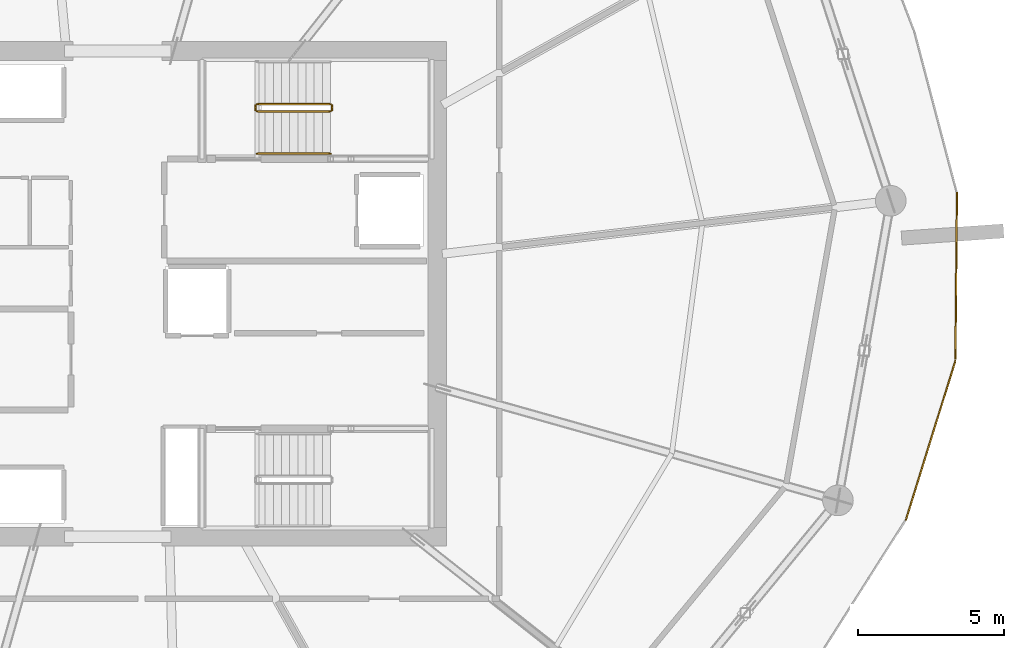
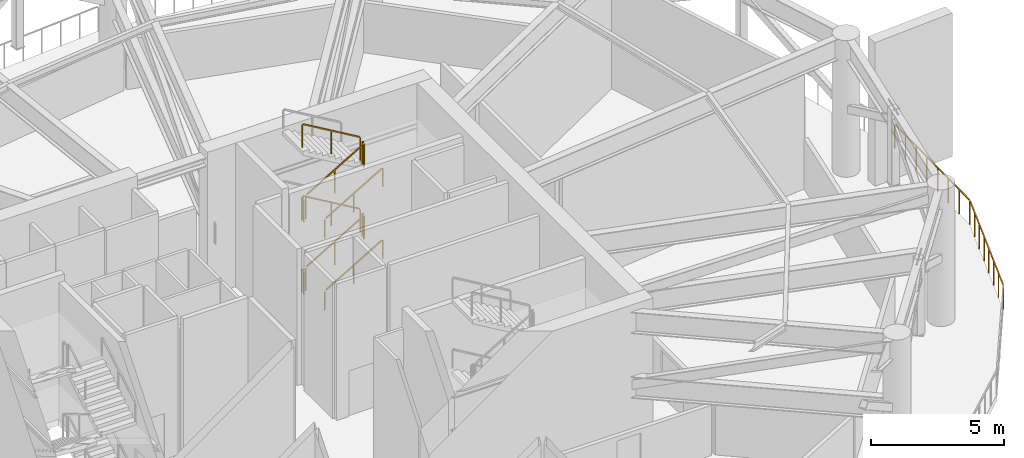
# One storey, part 19 of 20: 12 railings.
"""IFC4 building model written with IfcOpenShell, lengths in metres."""

from ifc_helpers import new_model, si_unit, direction, frame, origin, origin_2d, place, context, subcontext, project, spatial, rectangle, extrude, material, type_object, element, save


model = new_model("IFC4")

# Units and contexts
model_context = context("Model", 3, precision=1e-05, world=origin(), true_north=direction((0.0, 1.0)))
body_context = subcontext(model_context, "Body", "Model", "MODEL_VIEW")
ifc_project = project(units=[si_unit("LENGTHUNIT", "METRE"), si_unit("AREAUNIT", "SQUARE_METRE"), si_unit("VOLUMEUNIT", "CUBIC_METRE"), si_unit("PLANEANGLEUNIT", "RADIAN"), si_unit("MASSUNIT", "GRAM", prefix="KILO")], contexts=[model_context])

# Site, building, storey
site_placement = place(None, origin())
site = spatial("IfcSite", under=ifc_project, at=site_placement, CompositionType="ELEMENT")
building_placement = place(site_placement, origin())
building = spatial("IfcBuilding", under=site, at=building_placement, Name="Kazma Halo Residences", CompositionType="ELEMENT")
storey_placement = place(building_placement, frame((0.0, 0.0, 225.300048828125)))
storey = spatial("IfcBuildingStorey", under=building, at=storey_placement, Name="L57", CompositionType="ELEMENT", Elevation=225.300048828125)

# Railings
ifc_material_1 = material(Name="Brushed Stainless Steel and Laminated Glass", Category="steel")
railing_type_1 = type_object("IfcRailingType", Name="RLG-EXT-GUARD-1150", PredefinedType="GUARDRAIL", material=ifc_material_1)
railing_1_placement = place(storey_placement, frame((75.4375, 34.26171875, 0.0)))
element("IfcRailing", 1, at=railing_1_placement, inside=storey, type_object=railing_type_1, Name="L57 open wind-floor perimeter guard 30", PredefinedType="GUARDRAIL", context=body_context, shape_type="SweptSolid", body=[
    extrude(rectangle(XDim=0.050048828125, YDim=0.050048828125, at=origin_2d()), frame((0.0126953125, 0.04052734375, 1.125), z_axis=(0.296885266227, 0.954913157673, 0.0), x_axis=(-0.954913157673, 0.296885266227, 0.0)), (0.0, 0.0, 1.0), 5.617919921875),
    extrude(rectangle(XDim=0.0400390625, YDim=0.0400390625, at=origin_2d()), origin(), (0.0, 0.0, 1.0), 1.087890625),
    extrude(rectangle(XDim=0.0400390625, YDim=0.0400390625, at=origin_2d()), frame((0.241943359375, 0.778076171875, 0.0)), (0.0, 0.0, 1.0), 1.087890625),
    extrude(rectangle(XDim=0.0400390625, YDim=0.0400390625, at=origin_2d()), frame((0.483642578125, 1.555908203125, 0.0)), (0.0, 0.0, 1.0), 1.087890625),
    extrude(rectangle(XDim=0.0400390625, YDim=0.0400390625, at=origin_2d()), frame((0.7255859375, 2.333984375, 0.0)), (0.0, 0.0, 1.0), 1.087890625),
    extrude(rectangle(XDim=0.0400390625, YDim=0.0400390625, at=origin_2d()), frame((0.967529296875, 3.11181640625, 0.0)), (0.0, 0.0, 1.0), 1.087890625),
    extrude(rectangle(XDim=0.0400390625, YDim=0.0400390625, at=origin_2d()), frame((1.20947265625, 3.889892578125, 0.0)), (0.0, 0.0, 1.0), 1.087890625),
    extrude(rectangle(XDim=0.0400390625, YDim=0.0400390625, at=origin_2d()), frame((1.451171875, 4.667724609375, 0.0)), (0.0, 0.0, 1.0), 1.087890625),
    extrude(rectangle(XDim=0.0400390625, YDim=0.0400390625, at=origin_2d()), frame((1.693115234375, 5.44580078125, 0.0)), (0.0, 0.0, 1.0), 1.087890625),
])
railing_2_placement = place(storey_placement, frame((77.130615234375, 39.70751953125, 0.0)))
element("IfcRailing", 2, at=railing_2_placement, inside=storey, type_object=railing_type_1, Name="L57 open wind-floor perimeter guard 31", PredefinedType="GUARDRAIL", context=body_context, shape_type="SweptSolid", body=[
    extrude(rectangle(XDim=0.050048828125, YDim=0.050048828125, at=origin_2d()), frame((0.00048828125, 0.04248046875, 1.125), z_axis=(0.009346180269, 0.999956323503, 0.0), x_axis=(-0.999956323503, 0.009346180269, 0.0)), (0.0, 0.0, 1.0), 5.661865234375),
    extrude(rectangle(XDim=0.0400390625, YDim=0.0400390625, at=origin_2d()), origin(), (0.0, 0.0, 1.0), 1.087890625),
    extrude(rectangle(XDim=0.0400390625, YDim=0.0400390625, at=origin_2d()), frame((0.007568359375, 0.821044921875, 0.0)), (0.0, 0.0, 1.0), 1.087890625),
    extrude(rectangle(XDim=0.0400390625, YDim=0.0400390625, at=origin_2d()), frame((0.015380859375, 1.641845703125, 0.0)), (0.0, 0.0, 1.0), 1.087890625),
    extrude(rectangle(XDim=0.0400390625, YDim=0.0400390625, at=origin_2d()), frame((0.02294921875, 2.462890625, 0.0)), (0.0, 0.0, 1.0), 1.087890625),
    extrude(rectangle(XDim=0.0400390625, YDim=0.0400390625, at=origin_2d()), frame((0.03076171875, 3.28369140625, 0.0)), (0.0, 0.0, 1.0), 1.087890625),
    extrude(rectangle(XDim=0.0400390625, YDim=0.0400390625, at=origin_2d()), frame((0.038330078125, 4.104736328125, 0.0)), (0.0, 0.0, 1.0), 1.087890625),
    extrude(rectangle(XDim=0.0400390625, YDim=0.0400390625, at=origin_2d()), frame((0.046142578125, 4.925537109375, 0.0)), (0.0, 0.0, 1.0), 1.087890625),
    extrude(rectangle(XDim=0.0400390625, YDim=0.0400390625, at=origin_2d()), frame((0.0537109375, 5.74658203125, 0.0)), (0.0, 0.0, 1.0), 1.087890625),
])
ifc_material_2 = material(Name="Painted Steel S355", Category="steel")
railing_type_2 = type_object("IfcRailingType", Name="RLG-STAIR-GRD-1100", PredefinedType="GUARDRAIL", material=ifc_material_2)
railing_3_placement = place(storey_placement, frame((53.199951171875, 48.25, 0.1650390625)))
element("IfcRailing", 3, at=railing_3_placement, inside=storey, type_object=railing_type_2, Name="L57 ST-02 stair guard 1", PredefinedType="GUARDRAIL", context=body_context, shape_type="SweptSolid", body=[
    extrude(rectangle(XDim=0.050048828125, YDim=0.050048828125, at=origin_2d()), frame((0.03662109375, 0.0, 1.0966796875), z_axis=(0.861560626758, 0.0, 0.507654692109), x_axis=(0.0, 1.0, 0.0)), (0.0, 0.0, 1.0), 2.83984375),
    extrude(rectangle(XDim=0.0400390625, YDim=0.0400390625, at=origin_2d()), origin(), (0.0, 0.0, 1.0), 1.0380859375),
    extrude(rectangle(XDim=0.0400390625, YDim=0.0400390625, at=origin_2d()), frame((1.260009765625, 0.0, 0.742431640625)), (0.0, 0.0, 1.0), 1.0380859375),
    extrude(rectangle(XDim=0.0400390625, YDim=0.0400390625, at=origin_2d()), frame((2.52001953125, 0.0, 1.48486328125)), (0.0, 0.0, 1.0), 1.0380859375),
])
railing_4_placement = place(storey_placement, frame((55.77001953125, 48.300048828125, 1.64990234375)))
element("IfcRailing", 4, at=railing_4_placement, inside=storey, type_object=railing_type_2, Name="L57 ST-02 stair guard 2", PredefinedType="GUARDRAIL", context=body_context, shape_type="SweptSolid", body=[
    extrude(rectangle(XDim=0.050048828125, YDim=0.050048828125, at=origin_2d()), frame((0.0, 0.04248046875, 1.0751953125), z_axis=(0.0, 1.0, 0.0), x_axis=(-1.0, 0.0, 0.0)), (0.0, 0.0, 1.0), 0.06494140625),
    extrude(rectangle(XDim=0.0400390625, YDim=0.0400390625, at=origin_2d()), origin(), (0.0, 0.0, 1.0), 1.0380859375),
    extrude(rectangle(XDim=0.0400390625, YDim=0.0400390625, at=origin_2d()), frame((0.0, 0.14990234375, 0.0)), (0.0, 0.0, 1.0), 1.0380859375),
])
railing_5_placement = place(storey_placement, frame((55.719970703125, 48.5, 1.81494140625)))
element("IfcRailing", 5, at=railing_5_placement, inside=storey, type_object=railing_type_2, Name="L57 ST-02 stair guard 3", PredefinedType="GUARDRAIL", context=body_context, shape_type="SweptSolid", body=[
    extrude(rectangle(XDim=0.050048828125, YDim=0.050048828125, at=origin_2d()), frame((-0.03662109375, 0.0, 1.0966796875), z_axis=(-0.86152411907, 0.0, 0.507716645641), x_axis=(0.0, -1.0, 0.0)), (0.0, 0.0, 1.0), 2.840087890625),
    extrude(rectangle(XDim=0.0400390625, YDim=0.0400390625, at=origin_2d()), origin(), (0.0, 0.0, 1.0), 1.0380859375),
    extrude(rectangle(XDim=0.0400390625, YDim=0.0400390625, at=origin_2d()), frame((-1.260009765625, 0.0, 0.74267578125)), (0.0, 0.0, 1.0), 1.0380859375),
    extrude(rectangle(XDim=0.0400390625, YDim=0.0400390625, at=origin_2d()), frame((-2.52001953125, 0.0, 1.485107421875)), (0.0, 0.0, 1.0), 1.0380859375),
])
railing_6_placement = place(storey_placement, frame((53.14990234375, 48.300048828125, 3.300048828125)))
element("IfcRailing", 6, at=railing_6_placement, inside=storey, type_object=railing_type_2, Name="L57 ST-02 stair guard 4", PredefinedType="GUARDRAIL", context=body_context, shape_type="SweptSolid", body=[
    extrude(rectangle(XDim=0.050048828125, YDim=0.050048828125, at=origin_2d()), frame((0.0, 0.04248046875, 1.0751953125), z_axis=(0.0, 1.0, 0.0), x_axis=(-1.0, 0.0, 0.0)), (0.0, 0.0, 1.0), 0.06494140625),
    extrude(rectangle(XDim=0.0400390625, YDim=0.0400390625, at=origin_2d()), origin(), (0.0, 0.0, 1.0), 1.0380859375),
    extrude(rectangle(XDim=0.0400390625, YDim=0.0400390625, at=origin_2d()), frame((0.0, 0.14990234375, 0.0)), (0.0, 0.0, 1.0), 1.0380859375),
])
railing_7_placement = place(storey_placement, frame((53.199951171875, 48.25, 3.46484375)))
element("IfcRailing", 7, at=railing_7_placement, inside=storey, type_object=railing_type_2, Name="L57 ST-02 stair guard 5", PredefinedType="GUARDRAIL", context=body_context, shape_type="SweptSolid", body=[
    extrude(rectangle(XDim=0.050048828125, YDim=0.050048828125, at=origin_2d()), frame((0.03662109375, 0.0, 1.0966796875), z_axis=(0.86152411907, 0.0, 0.507716645641), x_axis=(0.0, 1.0, 0.0)), (0.0, 0.0, 1.0), 2.840087890625),
    extrude(rectangle(XDim=0.0400390625, YDim=0.0400390625, at=origin_2d()), origin(), (0.0, 0.0, 1.0), 1.0380859375),
    extrude(rectangle(XDim=0.0400390625, YDim=0.0400390625, at=origin_2d()), frame((1.260009765625, 0.0, 0.74267578125)), (0.0, 0.0, 1.0), 1.0380859375),
    extrude(rectangle(XDim=0.0400390625, YDim=0.0400390625, at=origin_2d()), frame((2.52001953125, 0.0, 1.485107421875)), (0.0, 0.0, 1.0), 1.0380859375),
])
railing_8_placement = place(storey_placement, frame((55.77001953125, 48.300048828125, 4.949951171875)))
element("IfcRailing", 8, at=railing_8_placement, inside=storey, type_object=railing_type_2, Name="L57 ST-02 stair guard 6", PredefinedType="GUARDRAIL", context=body_context, shape_type="SweptSolid", body=[
    extrude(rectangle(XDim=0.050048828125, YDim=0.050048828125, at=origin_2d()), frame((0.0, 0.04248046875, 1.0751953125), z_axis=(0.0, 1.0, 0.0), x_axis=(-1.0, 0.0, 0.0)), (0.0, 0.0, 1.0), 0.06494140625),
    extrude(rectangle(XDim=0.0400390625, YDim=0.0400390625, at=origin_2d()), origin(), (0.0, 0.0, 1.0), 1.0380859375),
    extrude(rectangle(XDim=0.0400390625, YDim=0.0400390625, at=origin_2d()), frame((0.0, 0.14990234375, 0.0)), (0.0, 0.0, 1.0), 1.0380859375),
])
railing_9_placement = place(storey_placement, frame((55.719970703125, 48.5, 5.114990234375)))
element("IfcRailing", 9, at=railing_9_placement, inside=storey, type_object=railing_type_2, Name="L57 ST-02 stair guard 7", PredefinedType="GUARDRAIL", context=body_context, shape_type="SweptSolid", body=[
    extrude(rectangle(XDim=0.050048828125, YDim=0.050048828125, at=origin_2d()), frame((-0.03662109375, 0.0, 1.0966796875), z_axis=(-0.861560626758, 0.0, 0.507654692109), x_axis=(0.0, -1.0, 0.0)), (0.0, 0.0, 1.0), 2.83984375),
    extrude(rectangle(XDim=0.0400390625, YDim=0.0400390625, at=origin_2d()), origin(), (0.0, 0.0, 1.0), 1.0380859375),
    extrude(rectangle(XDim=0.0400390625, YDim=0.0400390625, at=origin_2d()), frame((-1.260009765625, 0.0, 0.742431640625)), (0.0, 0.0, 1.0), 1.0380859375),
    extrude(rectangle(XDim=0.0400390625, YDim=0.0400390625, at=origin_2d()), frame((-2.52001953125, 0.0, 1.48486328125)), (0.0, 0.0, 1.0), 1.0380859375),
])
railing_10_placement = place(storey_placement, frame((53.14990234375, 48.300048828125, 0.0)))
element("IfcRailing", 10, at=railing_10_placement, inside=storey, type_object=railing_type_2, Name="L57 ST-02 stair guard 8", PredefinedType="GUARDRAIL", context=body_context, shape_type="SweptSolid", body=[
    extrude(rectangle(XDim=0.050048828125, YDim=0.050048828125, at=origin_2d()), frame((0.0, 0.04248046875, 1.0751953125), z_axis=(0.0, 1.0, 0.0), x_axis=(-1.0, 0.0, 0.0)), (0.0, 0.0, 1.0), 0.06494140625),
    extrude(rectangle(XDim=0.0400390625, YDim=0.0400390625, at=origin_2d()), origin(), (0.0, 0.0, 1.0), 1.0380859375),
    extrude(rectangle(XDim=0.0400390625, YDim=0.0400390625, at=origin_2d()), frame((0.0, 0.14990234375, 0.0)), (0.0, 0.0, 1.0), 1.0380859375),
])
ifc_material_3 = material(Name="Brushed Stainless Steel", Category="steel")
railing_type_3 = type_object("IfcRailingType", Name="RLG-STAIR-HND-900", PredefinedType="HANDRAIL", material=ifc_material_3)
railing_11_placement = place(storey_placement, frame((53.199951171875, 46.800048828125, 0.1650390625)))
element("IfcRailing", 11, at=railing_11_placement, inside=storey, type_object=railing_type_3, Name="L57 ST-02 stair handrail 1", PredefinedType="HANDRAIL", context=body_context, shape_type="SweptSolid", body=[
    extrude(rectangle(XDim=0.050048828125, YDim=0.050048828125, at=origin_2d()), frame((0.03662109375, 0.0, 0.896484375), z_axis=(0.861560626758, 0.0, 0.507654692109), x_axis=(0.0, 1.0, 0.0)), (0.0, 0.0, 1.0), 2.83984375),
    extrude(rectangle(XDim=0.0400390625, YDim=0.0400390625, at=origin_2d()), origin(), (0.0, 0.0, 1.0), 0.837890625),
    extrude(rectangle(XDim=0.0400390625, YDim=0.0400390625, at=origin_2d()), frame((1.260009765625, 0.0, 0.742431640625)), (0.0, 0.0, 1.0), 0.837890625),
    extrude(rectangle(XDim=0.0400390625, YDim=0.0400390625, at=origin_2d()), frame((2.52001953125, 0.0, 1.48486328125)), (0.0, 0.0, 1.0), 0.837890625),
])
railing_12_placement = place(storey_placement, frame((53.199951171875, 46.800048828125, 3.46484375)))
element("IfcRailing", 12, at=railing_12_placement, inside=storey, type_object=railing_type_3, Name="L57 ST-02 stair handrail 3", PredefinedType="HANDRAIL", context=body_context, shape_type="SweptSolid", body=[
    extrude(rectangle(XDim=0.050048828125, YDim=0.050048828125, at=origin_2d()), frame((0.03662109375, 0.0, 0.896484375), z_axis=(0.86152411907, 0.0, 0.507716645641), x_axis=(0.0, 1.0, 0.0)), (0.0, 0.0, 1.0), 2.840087890625),
    extrude(rectangle(XDim=0.0400390625, YDim=0.0400390625, at=origin_2d()), origin(), (0.0, 0.0, 1.0), 0.837890625),
    extrude(rectangle(XDim=0.0400390625, YDim=0.0400390625, at=origin_2d()), frame((1.260009765625, 0.0, 0.74267578125)), (0.0, 0.0, 1.0), 0.837890625),
    extrude(rectangle(XDim=0.0400390625, YDim=0.0400390625, at=origin_2d()), frame((2.52001953125, 0.0, 1.485107421875)), (0.0, 0.0, 1.0), 0.837890625),
])

save(model, "model.ifc")
